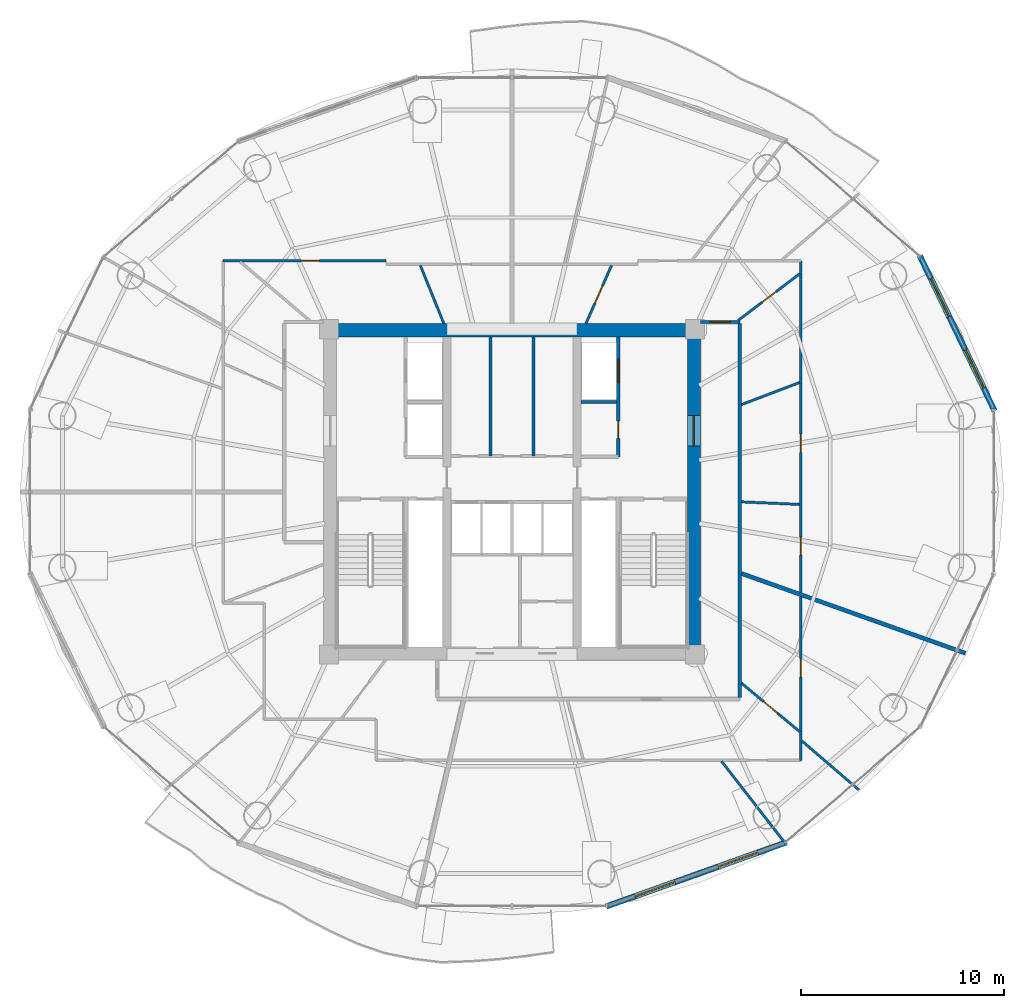
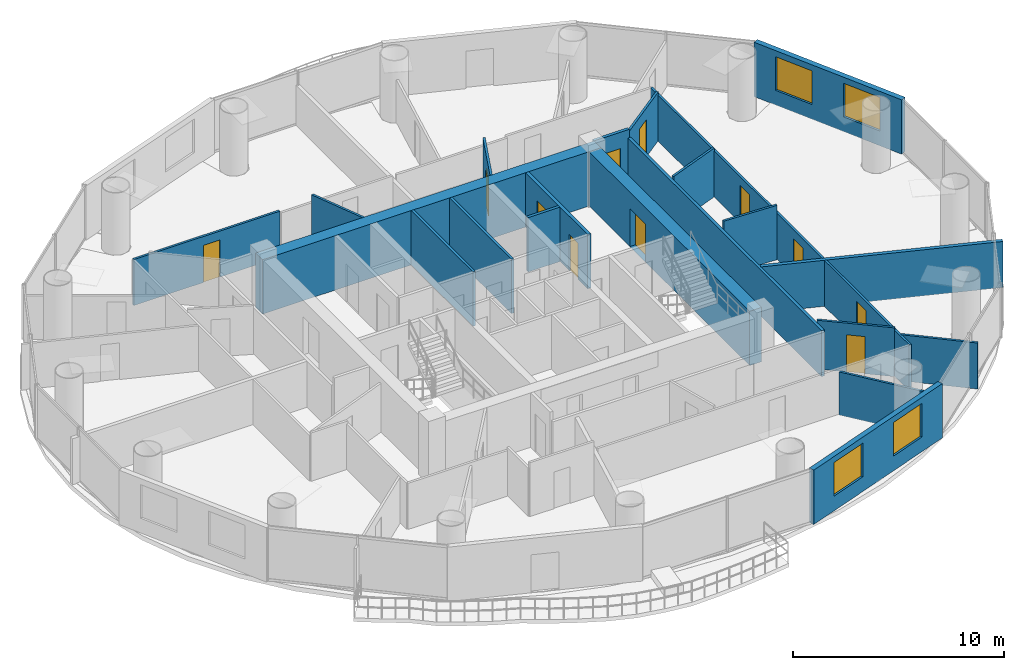
# One storey, part 22 of 26: 22 walls, 11 doors, 4 windows, 15 openings.
"""IFC4 building model written with IfcOpenShell, lengths in metres."""

from ifc_helpers import new_model, si_unit, direction, frame, frame_2d, origin, place, context, subcontext, project, spatial, rectangle, extrude, source, transform, mapped, material, layer, layer_set, type_object, element, fill, save


model = new_model("IFC4")

# Units and contexts
model_context = context("Model", 3, precision=1e-05, world=origin(), true_north=direction((-0.2419218956, 0.970295726276)))
body_context = subcontext(model_context, "Body", "Model", "MODEL_VIEW")
ifc_project = project(units=[si_unit("LENGTHUNIT", "METRE"), si_unit("AREAUNIT", "SQUARE_METRE"), si_unit("VOLUMEUNIT", "CUBIC_METRE"), si_unit("PLANEANGLEUNIT", "RADIAN"), si_unit("MASSUNIT", "GRAM", prefix="KILO")], contexts=[model_context])

# Site, building, storey
site_placement = place(None, origin())
site = spatial("IfcSite", under=ifc_project, at=site_placement, CompositionType="ELEMENT")
building_placement = place(site_placement, origin())
building = spatial("IfcBuilding", under=site, at=building_placement, Name="Cobrevalo Terracotta Tower", CompositionType="ELEMENT")
storey_placement = place(building_placement, frame((0.0, 0.0, 182.199951171875)))
storey = spatial("IfcBuildingStorey", under=building, at=storey_placement, Name="L48", CompositionType="ELEMENT", Elevation=182.199951171875)

# Wall
ifc_material_1 = material(Name="Concrete C55", Category="concrete")
ifc_layer_1 = layer(ifc_material_1, 0.64990234375)
ifc_layer_set_1 = layer_set([ifc_layer_1], Name="Concrete C55")
wall_type_1 = type_object("IfcWallType", Name="Core shear wall 650 mm Concrete C55", PredefinedType="SHEAR", material=ifc_layer_set_1)
wall_1_placement = place(storey_placement, frame((28.72509765625, 34.75, 0.0), z_axis=(0.0, 0.0, 1.0), x_axis=(1.0, 0.0, 0.0)))
element("IfcWall", 1, at=wall_1_placement, inside=storey, type_object=wall_type_1, Name="L48 north core shear wall", PredefinedType="SHEAR", context=body_context, shape_type="SweptSolid", body=[
    extrude(rectangle(XDim=18.5498046875, YDim=0.64990234375, at=frame_2d((9.27490234375, 0.0))), origin(), (0.0, 0.0, 1.0), 3.150146484375),
])

# Wall, opening, door
wall_2_placement = place(storey_placement, frame((46.949951171875, 19.175048828125, 0.0), z_axis=(0.0, 0.0, 1.0), x_axis=(0.0, 1.0, 0.0)))
wall_2 = element("IfcWall", 2, at=wall_2_placement, inside=storey, type_object=wall_type_1, Name="L48 east core shear wall", PredefinedType="SHEAR", context=body_context, shape_type="SweptSolid", body=[
    extrude(rectangle(XDim=15.25, YDim=0.64990234375, at=frame_2d((7.625, 0.0))), origin(), (0.0, 0.0, 1.0), 3.150146484375),
])
opening_1_placement = place(wall_2_placement, frame((9.875, 0.0, 0.0)))
opening_1 = element("IfcOpeningElement", 3, at=opening_1_placement, cuts=wall_2, Name="Opening ID-14", PredefinedType="OPENING", context=body_context, shape_type="SweptSolid", body=[
    extrude(rectangle(XDim=1.5, YDim=2.199951171875, at=frame_2d((0.75, 1.10009765625))), frame((0.0, 0.3349609375, 0.0), z_axis=(0.0, -1.0, 0.0), x_axis=(1.0, 0.0, 0.0)), (0.0, 0.0, 1.0), 0.669921875),
])
ifc_material_2 = material(Name="Galvanized fire-rated steel", Category="steel")
door_type_1 = type_object("IfcDoorType", Name="Core cross-lobby double fire door 1500x2200 EI 90", OperationType="NOTDEFINED", PredefinedType="DOOR", material=ifc_material_2)
shared_shape_1 = source(origin(), body_context, "Body", "SweptSolid", [
    extrude(rectangle(XDim=1.5, YDim=2.199951171875, at=frame_2d((0.75, 1.10009765625))), frame((0.0, 0.02490234375, 0.0), z_axis=(0.0, -1.0, 0.0), x_axis=(1.0, 0.0, 0.0)), (0.0, 0.0, 1.0), 0.050048828125),
])
door_1_placement = place(opening_1_placement, frame((1.5, 0.0, 0.0), z_axis=(0.0, 0.0, 1.0), x_axis=(-1.0, 0.0, 0.0)))
door_1 = element("IfcDoor", 4, at=door_1_placement, inside=storey, type_object=door_type_1, Name="L48 east firefighting lobby entrance door", OperationType="DOUBLE_DOOR_SINGLE_SWING", OverallHeight=2.199951171875, OverallWidth=1.5, PredefinedType="DOOR", context=body_context, shape_type="MappedRepresentation", body=[
    mapped(shared_shape_1, transform((0.0, 0.0, 0.0), scale=1.0)),
])
fill(opening_1, door_1)

# Walls
ifc_material_3 = material(Name="Gypsum board on steel stud", Category="steel")
ifc_layer_2 = layer(ifc_material_3, 0.159912109375)
ifc_layer_set_2 = layer_set([ifc_layer_2], Name="Gypsum board on steel stud")
wall_type_2 = type_object("IfcWallType", Name="Fire-rated corridor acoustic partition wall 160 mm", PredefinedType="PARTITIONING", material=ifc_layer_set_2)
wall_3_placement = place(storey_placement, frame((41.389892578125, 31.219970703125, 0.0), z_axis=(0.0, 0.0, 1.0), x_axis=(1.0, 0.0, 0.0)))
element("IfcWall", 5, at=wall_3_placement, inside=storey, type_object=wall_type_2, Name="L48 interior partition IW-L48-FF2-M", PredefinedType="PARTITIONING", context=body_context, shape_type="SweptSolid", body=[
    extrude(rectangle(XDim=1.75, YDim=0.159912109375, at=frame_2d((0.875, 0.0))), origin(), (0.0, 0.0, 1.0), 3.150146484375),
])
wall_4_placement = place(storey_placement, frame((49.205078125, 16.675048828125, 0.0), z_axis=(0.0, 0.0, 1.0), x_axis=(0.0, 1.0, 0.0)))
element("IfcWall", 6, at=wall_4_placement, inside=storey, type_object=wall_type_2, Name="L48 interior partition IW-L48-COR-E", PredefinedType="PARTITIONING", context=body_context, shape_type="SweptSolid", body=[
    extrude(rectangle(XDim=18.39990234375, YDim=0.159912109375, at=frame_2d((9.199951171875, 0.0))), origin(), (0.0, 0.0, 1.0), 2.666015625),
])

# Wall, opening, door
wall_5_placement = place(storey_placement, frame((47.27490234375, 35.155029296875, 0.0), z_axis=(0.0, 0.0, 1.0), x_axis=(1.0, 0.0, 0.0)))
wall_5 = element("IfcWall", 7, at=wall_5_placement, inside=storey, type_object=wall_type_2, Name="L48 interior partition IW-L48-COR-EN-CAP", PredefinedType="PARTITIONING", context=body_context, shape_type="SweptSolid", body=[
    extrude(rectangle(XDim=1.93017578125, YDim=0.159912109375, at=frame_2d((0.965087890625, 0.0))), origin(), (0.0, 0.0, 1.0), 3.150146484375),
])
opening_2_placement = place(wall_5_placement, frame((0.47509765625, 0.0, 0.0)))
opening_2 = element("IfcOpeningElement", 8, at=opening_2_placement, cuts=wall_5, Name="Opening ID-05", PredefinedType="OPENING", context=body_context, shape_type="SweptSolid", body=[
    extrude(rectangle(XDim=0.97998046875, YDim=2.199951171875, at=frame_2d((0.489990234375, 1.10009765625))), frame((0.0, 0.08984375, 0.0), z_axis=(0.0, -1.0, 0.0), x_axis=(1.0, 0.0, 0.0)), (0.0, 0.0, 1.0), 0.179931640625),
])
ifc_material_4 = material(Name="Solid hardwood timber", Category="wood")
door_type_2 = type_object("IfcDoorType", Name="Residence entrance fire-rated acoustic timber door 980x2200 EI 60", OperationType="NOTDEFINED", PredefinedType="DOOR", material=ifc_material_4)
shared_shape_2 = source(origin(), body_context, "Body", "SweptSolid", [
    extrude(rectangle(XDim=0.97998046875, YDim=2.199951171875, at=frame_2d((0.489990234375, 1.10009765625))), frame((0.0, 0.02490234375, 0.0), z_axis=(0.0, -1.0, 0.0), x_axis=(1.0, 0.0, 0.0)), (0.0, 0.0, 1.0), 0.050048828125),
])
door_2_placement = place(opening_2_placement, origin())
door_2 = element("IfcDoor", 9, at=door_2_placement, inside=storey, type_object=door_type_2, Name="Flat L48A fire-rated apartment entrance door", OperationType="SINGLE_SWING_LEFT", OverallHeight=2.199951171875, OverallWidth=0.97998046875, PredefinedType="DOOR", context=body_context, shape_type="MappedRepresentation", body=[
    mapped(shared_shape_2, transform((0.0, 0.0, 0.0), scale=1.0)),
])
fill(opening_2, door_2)

# Wall, openings, doors
ifc_layer_3 = layer(ifc_material_3, 0.179931640625)
ifc_layer_set_3 = layer_set([ifc_layer_3], Name="Gypsum board on steel stud")
wall_type_3 = type_object("IfcWallType", Name="Fire-rated shaft & lobby acoustic partition wall 180 mm", PredefinedType="PARTITIONING", material=ifc_layer_set_3)
wall_6_placement = place(storey_placement, frame((43.22998046875, 28.52001953125, 0.0), z_axis=(0.0, 0.0, 1.0), x_axis=(0.0, 1.0, 0.0)))
wall_6 = element("IfcWall", 10, at=wall_6_placement, inside=storey, type_object=wall_type_3, Name="L48 interior partition IW-L48-FF2-E", PredefinedType="PARTITIONING", context=body_context, shape_type="SweptSolid", body=[
    extrude(rectangle(XDim=5.905029296875, YDim=0.179931640625, at=frame_2d((2.95263671875, 0.0))), origin(), (0.0, 0.0, 1.0), 3.150146484375),
])
opening_3_placement = place(wall_6_placement, frame((0.905029296875, 0.0, 0.0)))
opening_3 = element("IfcOpeningElement", 11, at=opening_3_placement, cuts=wall_6, Name="Opening ID-22", PredefinedType="OPENING", context=body_context, shape_type="SweptSolid", body=[
    extrude(rectangle(XDim=0.85009765625, YDim=2.10009765625, at=frame_2d((0.425048828125, 1.050048828125))), frame((0.0, 0.10009765625, 0.0), z_axis=(0.0, -1.0, 0.0), x_axis=(1.0, 0.0, 0.0)), (0.0, 0.0, 1.0), 0.199951171875),
])
opening_4_placement = place(wall_6_placement, frame((3.655029296875, 0.0, 0.0)))
opening_4 = element("IfcOpeningElement", 12, at=opening_4_placement, cuts=wall_6, Name="Opening LD-02", PredefinedType="OPENING", context=body_context, shape_type="SweptSolid", body=[
    extrude(rectangle(XDim=1.14990234375, YDim=2.199951171875, at=frame_2d((0.574951171875, 1.10009765625))), frame((0.0, 0.10009765625, 0.0), z_axis=(0.0, -1.0, 0.0), x_axis=(1.0, 0.0, 0.0)), (0.0, 0.0, 1.0), 0.199951171875),
])
ifc_material_5 = material(Name="Powder-coated steel", Category="steel")
door_type_3 = type_object("IfcDoorType", Name="Riser shaft & meter closet fire access door 850x2100 EI 60", OperationType="NOTDEFINED", PredefinedType="DOOR", material=ifc_material_5)
shared_shape_3 = source(origin(), body_context, "Body", "SweptSolid", [
    extrude(rectangle(XDim=0.85009765625, YDim=2.10009765625, at=frame_2d((0.425048828125, 1.050048828125))), frame((0.0, 0.02490234375, 0.0), z_axis=(0.0, -1.0, 0.0), x_axis=(1.0, 0.0, 0.0)), (0.0, 0.0, 1.0), 0.050048828125),
])
door_3_placement = place(opening_3_placement, frame((0.85009765625, 0.0, 0.0), z_axis=(0.0, 0.0, 1.0), x_axis=(-1.0, 0.0, 0.0)))
door_3 = element("IfcDoor", 13, at=door_3_placement, inside=storey, type_object=door_type_3, Name="L48 housekeeping store door", OperationType="SINGLE_SWING_RIGHT", OverallHeight=2.10009765625, OverallWidth=0.85009765625, PredefinedType="DOOR", context=body_context, shape_type="MappedRepresentation", body=[
    mapped(shared_shape_3, transform((0.0, 0.0, 0.0), scale=1.0)),
])
fill(opening_3, door_3)
ifc_material_6 = material(Name="Brushed stainless steel", Category="steel")
door_type_4 = type_object("IfcDoorType", Name="Firefighting lift landing bi-parting sliding door 1150x2200 EI 120", OperationType="DOUBLE_DOOR_SLIDING", PredefinedType="DOOR", material=ifc_material_6)
shared_shape_4 = source(origin(), body_context, "Body", "SweptSolid", [
    extrude(rectangle(XDim=1.14990234375, YDim=2.199951171875, at=frame_2d((0.574951171875, 1.10009765625))), frame((0.0, 0.02490234375, 0.0), z_axis=(0.0, -1.0, 0.0), x_axis=(1.0, 0.0, 0.0)), (0.0, 0.0, 1.0), 0.050048828125),
])
door_4_placement = place(opening_4_placement, origin())
door_4 = element("IfcDoor", 14, at=door_4_placement, inside=storey, type_object=door_type_4, Name="L48 lift landing door FF-2", OperationType="DOUBLE_DOOR_SLIDING", OverallHeight=2.199951171875, OverallWidth=1.14990234375, PredefinedType="DOOR", context=body_context, shape_type="MappedRepresentation", body=[
    mapped(shared_shape_4, transform((0.0, 0.0, 0.0), scale=1.0)),
])
fill(opening_4, door_4)

# Wall
ifc_material_7 = material(Name="Autoclaved aerated concrete block", Category="concrete")
ifc_layer_4 = layer(ifc_material_7, 0.199951171875)
ifc_layer_set_4 = layer_set([ifc_layer_4], Name="Autoclaved aerated concrete block")
wall_type_4 = type_object("IfcWallType", Name="Fire-rated stair, shaft & demising masonry wall 200 mm", PredefinedType="PARTITIONING", material=ifc_layer_set_4)
wall_7_placement = place(storey_placement, frame((49.286865234375, 22.78173828125, 0.0), z_axis=(0.0, 0.0, 1.0), x_axis=(0.942076460895, -0.335398183996, 0.0)))
element("IfcWall", 15, at=wall_7_placement, inside=storey, type_object=wall_type_4, Name="L48 interior partition IW-L48-DEM-1", PredefinedType="PARTITIONING", context=body_context, shape_type="SweptSolid", body=[
    extrude(rectangle(XDim=11.689453125, YDim=0.199951171875, at=frame_2d((5.8447265625, 0.0))), origin(), (0.0, 0.0, 1.0), 2.666015625),
])

# Wall, openings, windows
ifc_layer_5 = layer(ifc_material_7, 0.280029296875)
ifc_layer_set_5 = layer_set([ifc_layer_5], Name="Autoclaved aerated concrete block")
wall_type_5 = type_object("IfcWallType", Name="Insulated tower spandrel & pier wall 280 mm with terracotta rainscreen", PredefinedType="SOLIDWALL", material=ifc_layer_set_5)
wall_8_placement = place(storey_placement, frame((61.740234375, 30.780029296875, 0.0), z_axis=(0.0, 0.0, 1.0), x_axis=(-0.434209827226, 0.900811759437, 0.0)))
wall_8 = element("IfcWall", 16, at=wall_8_placement, inside=storey, type_object=wall_type_5, Name="L48 terracotta rainscreen pier wall S01", PredefinedType="SOLIDWALL", context=body_context, shape_type="SweptSolid", body=[
    extrude(rectangle(XDim=8.4716796875, YDim=0.280029296875, at=frame_2d((4.23583984375, 0.0))), origin(), (0.0, 0.0, 1.0), 3.150146484375),
])
opening_5_placement = place(wall_8_placement, frame((1.2373046875, 0.0, 0.85009765625)))
opening_5 = element("IfcOpeningElement", 17, at=opening_5_placement, cuts=wall_8, Name="Opening WN-10", PredefinedType="OPENING", context=body_context, shape_type="SweptSolid", body=[
    extrude(rectangle(XDim=2.10009765625, YDim=1.949951171875, at=frame_2d((1.050048828125, 0.97509765625))), frame((0.0, 0.14990234375, 0.0), z_axis=(0.0, -1.0, 0.0), x_axis=(1.0, 0.0, 0.0)), (0.0, 0.0, 1.0), 0.300048828125),
])
opening_6_placement = place(wall_8_placement, frame((5.13427734375, 0.0, 0.85009765625)))
opening_6 = element("IfcOpeningElement", 18, at=opening_6_placement, cuts=wall_8, Name="Opening WN-10", PredefinedType="OPENING", context=body_context, shape_type="SweptSolid", body=[
    extrude(rectangle(XDim=2.10009765625, YDim=1.949951171875, at=frame_2d((1.050048828125, 0.97509765625))), frame((0.0, 0.14990234375, 0.0), z_axis=(0.0, -1.0, 0.0), x_axis=(1.0, 0.0, 0.0)), (0.0, 0.0, 1.0), 0.300048828125),
])
ifc_material_8 = material(Name="Solar-control low-E double glazing", Category="glass")
window_type = type_object("IfcWindowType", Name="Wide panoramic low-E aluminium window 2100x1950", PartitioningType="SINGLE_PANEL", PredefinedType="WINDOW", material=ifc_material_8)
shared_shape_5 = source(origin(), body_context, "Body", "SweptSolid", [
    extrude(rectangle(XDim=2.10009765625, YDim=1.949951171875, at=frame_2d((1.050048828125, 0.97509765625))), frame((0.0, 0.030029296875, 0.0), z_axis=(0.0, -1.0, 0.0), x_axis=(1.0, 0.0, 0.0)), (0.0, 0.0, 1.0), 0.06005859375),
])
window_1_placement = place(opening_5_placement, origin())
window_1 = element("IfcWindow", 19, at=window_1_placement, inside=storey, type_object=window_type, Name="L48 suite window S01A", OverallHeight=1.949951171875, OverallWidth=2.10009765625, PartitioningType="SINGLE_PANEL", PredefinedType="WINDOW", context=body_context, shape_type="MappedRepresentation", body=[
    mapped(shared_shape_5, transform((0.0, 0.0, 0.0), scale=1.0)),
])
fill(opening_5, window_1)
window_2_placement = place(opening_6_placement, origin())
window_2 = element("IfcWindow", 20, at=window_2_placement, inside=storey, type_object=window_type, Name="L48 suite window S01B", OverallHeight=1.949951171875, OverallWidth=2.10009765625, PartitioningType="SINGLE_PANEL", PredefinedType="WINDOW", context=body_context, shape_type="MappedRepresentation", body=[
    mapped(shared_shape_5, transform((0.0, 0.0, 0.0), scale=1.0)),
])
fill(opening_6, window_2)

wall_9_placement = place(storey_placement, frame((42.639892578125, 6.40234375, 0.0), z_axis=(0.0, 0.0, 1.0), x_axis=(0.942103604331, 0.335321932934, 0.0)))
wall_9 = element("IfcWall", 21, at=wall_9_placement, inside=storey, type_object=wall_type_5, Name="L48 terracotta rainscreen pier wall S13", PredefinedType="SOLIDWALL", context=body_context, shape_type="SweptSolid", body=[
    extrude(rectangle(XDim=9.408203125, YDim=0.280029296875, at=frame_2d((4.7041015625, 0.0))), origin(), (0.0, 0.0, 1.0), 3.150146484375),
])
opening_7_placement = place(wall_9_placement, frame((1.490234375, 0.0, 0.85009765625)))
opening_7 = element("IfcOpeningElement", 22, at=opening_7_placement, cuts=wall_9, Name="Opening WN-10", PredefinedType="OPENING", context=body_context, shape_type="SweptSolid", body=[
    extrude(rectangle(XDim=2.10009765625, YDim=1.949951171875, at=frame_2d((1.050048828125, 0.97509765625))), frame((0.0, 0.14990234375, 0.0), z_axis=(0.0, -1.0, 0.0), x_axis=(1.0, 0.0, 0.0)), (0.0, 0.0, 1.0), 0.300048828125),
])
opening_8_placement = place(wall_9_placement, frame((5.818115234375, 0.0, 0.85009765625)))
opening_8 = element("IfcOpeningElement", 23, at=opening_8_placement, cuts=wall_9, Name="Opening WN-10", PredefinedType="OPENING", context=body_context, shape_type="SweptSolid", body=[
    extrude(rectangle(XDim=2.10009765625, YDim=1.949951171875, at=frame_2d((1.050048828125, 0.97509765625))), frame((0.0, 0.14990234375, 0.0), z_axis=(0.0, -1.0, 0.0), x_axis=(1.0, 0.0, 0.0)), (0.0, 0.0, 1.0), 0.300048828125),
])
window_3_placement = place(opening_7_placement, origin())
window_3 = element("IfcWindow", 24, at=window_3_placement, inside=storey, type_object=window_type, Name="L48 suite window S13A", OverallHeight=1.949951171875, OverallWidth=2.10009765625, PartitioningType="SINGLE_PANEL", PredefinedType="WINDOW", context=body_context, shape_type="MappedRepresentation", body=[
    mapped(shared_shape_5, transform((0.0, 0.0, 0.0), scale=1.0)),
])
fill(opening_7, window_3)
window_4_placement = place(opening_8_placement, origin())
window_4 = element("IfcWindow", 25, at=window_4_placement, inside=storey, type_object=window_type, Name="L48 suite window S13B", OverallHeight=1.949951171875, OverallWidth=2.10009765625, PartitioningType="SINGLE_PANEL", PredefinedType="WINDOW", context=body_context, shape_type="MappedRepresentation", body=[
    mapped(shared_shape_5, transform((0.0, 0.0, 0.0), scale=1.0)),
])
fill(opening_8, window_4)

# Walls
ifc_layer_6 = layer(ifc_material_7, 0.139892578125)
ifc_layer_set_6 = layer_set([ifc_layer_6], Name="Autoclaved aerated concrete block")
wall_type_6 = type_object("IfcWallType", Name="Moisture-resistant wet-room & core service partition 140 mm", PredefinedType="PARTITIONING", material=ifc_layer_set_6)
for number, where, z_axis, x_axis, name in (
    (26, (36.949951171875, 28.56005859375, 0.0), (0.0, 0.0, 1.0), (0.0, 1.0, 0.0), "L48 interior partition IW-L48-KVN-A"),
    (27, (39.050048828125, 28.56005859375, 0.0), (0.0, 0.0, 1.0), (0.0, 1.0, 0.0), "L48 interior partition IW-L48-KVN-B"),
):
    element("IfcWall", number, at=place(storey_placement, frame(where, z_axis=z_axis, x_axis=x_axis)), inside=storey, type_object=wall_type_6, Name=name, PredefinedType="PARTITIONING", context=body_context, shape_type="SweptSolid", body=[
        extrude(rectangle(XDim=5.864990234375, YDim=0.139892578125, at=frame_2d((2.9326171875, 0.0))), origin(), (0.0, 0.0, 1.0), 3.150146484375),
    ])

# Wall, openings, doors
ifc_layer_7 = layer(ifc_material_3, 0.1201171875)
ifc_layer_set_7 = layer_set([ifc_layer_7], Name="Gypsum board on steel stud")
wall_type_7 = type_object("IfcWallType", Name="Residential internal acoustic stud partition 120 mm", PredefinedType="PARTITIONING", material=ifc_layer_set_7)
wall_10_placement = place(storey_placement, frame((52.205078125, 38.155029296875, 0.0), z_axis=(0.0, 0.0, 1.0), x_axis=(0.0, -1.0, 0.0)))
wall_10 = element("IfcWall", 28, at=wall_10_placement, inside=storey, type_object=wall_type_7, Name="L48 interior partition IW-L48-U1-RING3_0", PredefinedType="PARTITIONING", context=body_context, shape_type="SweptSolid", body=[
    extrude(rectangle(XDim=16.310302734375, YDim=0.1201171875, at=frame_2d((8.1552734375, 0.0))), origin(), (0.0, 0.0, 1.0), 2.666015625),
])
opening_9_placement = place(wall_10_placement, frame((13.574462890625, 0.0, 0.0)))
opening_9 = element("IfcOpeningElement", 29, at=opening_9_placement, cuts=wall_10, Name="Opening ID-12", PredefinedType="OPENING", context=body_context, shape_type="SweptSolid", body=[
    extrude(rectangle(XDim=0.89990234375, YDim=2.14990234375, at=frame_2d((0.449951171875, 1.074951171875))), frame((0.0, 0.070068359375, 0.0), z_axis=(0.0, -1.0, 0.0), x_axis=(1.0, 0.0, 0.0)), (0.0, 0.0, 1.0), 0.14013671875),
])
opening_10_placement = place(wall_10_placement, frame((8.51806640625, 0.0, 0.0)))
opening_10 = element("IfcOpeningElement", 30, at=opening_10_placement, cuts=wall_10, Name="Opening ID-12", PredefinedType="OPENING", context=body_context, shape_type="SweptSolid", body=[
    extrude(rectangle(XDim=0.89990234375, YDim=2.14990234375, at=frame_2d((0.449951171875, 1.074951171875))), frame((0.0, 0.070068359375, 0.0), z_axis=(0.0, -1.0, 0.0), x_axis=(1.0, 0.0, 0.0)), (0.0, 0.0, 1.0), 0.14013671875),
])
ifc_material_9 = material(Name="Engineered timber", Category="wood")
door_type_5 = type_object("IfcDoorType", Name="Internal residence & suite timber door 900x2150", OperationType="NOTDEFINED", PredefinedType="DOOR", material=ifc_material_9)
shared_shape_6 = source(origin(), body_context, "Body", "SweptSolid", [
    extrude(rectangle(XDim=0.89990234375, YDim=2.14990234375, at=frame_2d((0.449951171875, 1.074951171875))), frame((0.0, 0.02490234375, 0.0), z_axis=(0.0, -1.0, 0.0), x_axis=(1.0, 0.0, 0.0)), (0.0, 0.0, 1.0), 0.050048828125),
])
door_5_placement = place(opening_9_placement, frame((0.89990234375, 0.0, 0.0), z_axis=(0.0, 0.0, 1.0), x_axis=(-1.0, 0.0, 0.0)))
door_5 = element("IfcDoor", 31, at=door_5_placement, inside=storey, type_object=door_type_5, Name="Flat L48A Private Library Meeting Room internal door", OperationType="SINGLE_SWING_RIGHT", OverallHeight=2.14990234375, OverallWidth=0.89990234375, PredefinedType="DOOR", context=body_context, shape_type="MappedRepresentation", body=[
    mapped(shared_shape_6, transform((0.0, 0.0, 0.0), scale=1.0)),
])
fill(opening_9, door_5)
door_6_placement = place(opening_10_placement, frame((0.89990234375, 0.0, 0.0), z_axis=(0.0, 0.0, 1.0), x_axis=(-1.0, 0.0, 0.0)))
door_6 = element("IfcDoor", 32, at=door_6_placement, inside=storey, type_object=door_type_5, Name="Flat L48A Utility Closet internal door", OperationType="SINGLE_SWING_LEFT", OverallHeight=2.14990234375, OverallWidth=0.89990234375, PredefinedType="DOOR", context=body_context, shape_type="MappedRepresentation", body=[
    mapped(shared_shape_6, transform((0.0, 0.0, 0.0), scale=1.0)),
])
fill(opening_10, door_6)

# Walls
wall_11_placement = place(storey_placement, frame((49.287109375, 26.30419921875, 0.0), z_axis=(0.0, 0.0, 1.0), x_axis=(0.999039813392, -0.043811542509, 0.0)))
element("IfcWall", 33, at=wall_11_placement, inside=storey, type_object=wall_type_7, Name="L48 interior partition IW-L48-U1-IRAD1", PredefinedType="PARTITIONING", context=body_context, shape_type="SweptSolid", body=[
    extrude(rectangle(XDim=2.858642578125, YDim=0.1201171875, at=frame_2d((1.42919921875, 0.0))), origin(), (0.0, 0.0, 1.0), 3.150146484375),
])
wall_12_placement = place(storey_placement, frame((49.286865234375, 31.0888671875, 0.0), z_axis=(0.0, 0.0, 1.0), x_axis=(0.934802126635, 0.3551689514, 0.0)))
element("IfcWall", 34, at=wall_12_placement, inside=storey, type_object=wall_type_7, Name="L48 interior partition IW-L48-U1-IRAD2", PredefinedType="PARTITIONING", context=body_context, shape_type="SweptSolid", body=[
    extrude(rectangle(XDim=3.0595703125, YDim=0.1201171875, at=frame_2d((1.52978515625, 0.0))), origin(), (0.0, 0.0, 1.0), 2.824951171875),
])

# Wall, opening, door
wall_13_placement = place(storey_placement, frame((49.133056640625, 35.236328125, 0.0), z_axis=(0.0, 0.0, 1.0), x_axis=(0.797054583929, 0.603907269568, 0.0)))
wall_13 = element("IfcWall", 35, at=wall_13_placement, inside=storey, type_object=wall_type_7, Name="L48 interior partition IW-L48-U1-IRAD3", PredefinedType="PARTITIONING", context=body_context, shape_type="SweptSolid", body=[
    extrude(rectangle(XDim=3.7919921875, YDim=0.1201171875, at=frame_2d((1.89599609375, 0.0))), origin(), (0.0, 0.0, 1.0), 2.824951171875),
])
opening_11_placement = place(wall_13_placement, frame((1.466064453125, 0.0, 0.0)))
opening_11 = element("IfcOpeningElement", 36, at=opening_11_placement, cuts=wall_13, Name="Opening ID-19", PredefinedType="OPENING", context=body_context, shape_type="SweptSolid", body=[
    extrude(rectangle(XDim=0.860107421875, YDim=2.14990234375, at=frame_2d((0.43017578125, 1.074951171875))), frame((0.0, 0.070068359375, 0.0), z_axis=(0.0, -1.0, 0.0), x_axis=(1.0, 0.0, 0.0)), (0.0, 0.0, 1.0), 0.14013671875),
])
ifc_material_10 = material(Name="Moisture-sealed timber", Category="wood")
door_type_6 = type_object("IfcDoorType", Name="Suite bathroom internal timber door 860x2150", OperationType="NOTDEFINED", PredefinedType="DOOR", material=ifc_material_10)
shared_shape_7 = source(origin(), body_context, "Body", "SweptSolid", [
    extrude(rectangle(XDim=0.860107421875, YDim=2.14990234375, at=frame_2d((0.43017578125, 1.074951171875))), frame((0.0, 0.02490234375, 0.0), z_axis=(0.0, -1.0, 0.0), x_axis=(1.0, 0.0, 0.0)), (0.0, 0.0, 1.0), 0.050048828125),
])
door_7_placement = place(opening_11_placement, frame((0.860107421875, 0.0, 0.0), z_axis=(0.0, 0.0, 1.0), x_axis=(-1.0, 0.0, 0.0)))
door_7 = element("IfcDoor", 37, at=door_7_placement, inside=storey, type_object=door_type_6, Name="Flat L48A Primary Bathroom internal door", OperationType="SINGLE_SWING_RIGHT", OverallHeight=2.14990234375, OverallWidth=0.860107421875, PredefinedType="DOOR", context=body_context, shape_type="MappedRepresentation", body=[
    mapped(shared_shape_7, transform((0.0, 0.0, 0.0), scale=1.0)),
])
fill(opening_11, door_7)

wall_14_placement = place(storey_placement, frame((41.637939453125, 35.074951171875, 0.0), z_axis=(0.0, 0.0, 1.0), x_axis=(0.402456087228, 0.915439292282, 0.0)))
wall_14 = element("IfcWall", 38, at=wall_14_placement, inside=storey, type_object=wall_type_7, Name="L48 interior partition IW-L48-U1-IRAD4", PredefinedType="PARTITIONING", context=body_context, shape_type="SweptSolid", body=[
    extrude(rectangle(XDim=3.127685546875, YDim=0.1201171875, at=frame_2d((1.56396484375, 0.0))), origin(), (0.0, 0.0, 1.0), 3.150146484375),
])
opening_12_placement = place(wall_14_placement, frame((1.114013671875, 0.0, 0.0)))
opening_12 = element("IfcOpeningElement", 39, at=opening_12_placement, cuts=wall_14, Name="Opening ID-12", PredefinedType="OPENING", context=body_context, shape_type="SweptSolid", body=[
    extrude(rectangle(XDim=0.89990234375, YDim=2.14990234375, at=frame_2d((0.449951171875, 1.074951171875))), frame((0.0, 0.070068359375, 0.0), z_axis=(0.0, -1.0, 0.0), x_axis=(1.0, 0.0, 0.0)), (0.0, 0.0, 1.0), 0.14013671875),
])
door_8_placement = place(opening_12_placement, origin())
door_8 = element("IfcDoor", 40, at=door_8_placement, inside=storey, type_object=door_type_5, Name="Flat L48A Kitchen internal door", OperationType="SINGLE_SWING_LEFT", OverallHeight=2.14990234375, OverallWidth=0.89990234375, PredefinedType="DOOR", context=body_context, shape_type="MappedRepresentation", body=[
    mapped(shared_shape_6, transform((0.0, 0.0, 0.0), scale=1.0)),
])
fill(opening_12, door_8)

wall_15_placement = place(storey_placement, frame((23.794921875, 38.155029296875, 0.0), z_axis=(0.0, 0.0, 1.0), x_axis=(1.0, 0.0, 0.0)))
wall_15 = element("IfcWall", 41, at=wall_15_placement, inside=storey, type_object=wall_type_7, Name="L48 interior partition IW-L48-U2-RING1_0", PredefinedType="PARTITIONING", context=body_context, shape_type="SweptSolid", body=[
    extrude(rectangle(XDim=8.010009765625, YDim=0.1201171875, at=frame_2d((4.0048828125, 0.0))), origin(), (0.0, 0.0, 1.0), 2.666015625),
])
opening_13_placement = place(wall_15_placement, frame((3.82958984375, 0.0, 0.0)))
opening_13 = element("IfcOpeningElement", 42, at=opening_13_placement, cuts=wall_15, Name="Opening ID-12", PredefinedType="OPENING", context=body_context, shape_type="SweptSolid", body=[
    extrude(rectangle(XDim=0.89990234375, YDim=2.14990234375, at=frame_2d((0.449951171875, 1.074951171875))), frame((0.0, 0.070068359375, 0.0), z_axis=(0.0, -1.0, 0.0), x_axis=(1.0, 0.0, 0.0)), (0.0, 0.0, 1.0), 0.14013671875),
])
door_9_placement = place(opening_13_placement, frame((0.89990234375, 0.0, 0.0), z_axis=(0.0, 0.0, 1.0), x_axis=(-1.0, 0.0, 0.0)))
door_9 = element("IfcDoor", 43, at=door_9_placement, inside=storey, type_object=door_type_5, Name="Flat L48B Reception Hallway internal door", OperationType="SINGLE_SWING_RIGHT", OverallHeight=2.14990234375, OverallWidth=0.89990234375, PredefinedType="DOOR", context=body_context, shape_type="MappedRepresentation", body=[
    mapped(shared_shape_6, transform((0.0, 0.0, 0.0), scale=1.0)),
])
fill(opening_13, door_9)

# Wall
wall_16_placement = place(storey_placement, frame((34.64892578125, 35.074951171875, 0.0), z_axis=(0.0, 0.0, 1.0), x_axis=(-0.375339921816, 0.926887233212, 0.0)))
element("IfcWall", 44, at=wall_16_placement, inside=storey, type_object=wall_type_7, Name="L48 interior partition IW-L48-U2-IRAD1", PredefinedType="PARTITIONING", context=body_context, shape_type="SweptSolid", body=[
    extrude(rectangle(XDim=3.08837890625, YDim=0.1201171875, at=frame_2d((1.544189453125, 0.0))), origin(), (0.0, 0.0, 1.0), 3.150146484375),
])

# Wall, opening, door
wall_17_placement = place(storey_placement, frame((52.205078125, 21.640869140625, 0.0), z_axis=(0.0, 0.0, 1.0), x_axis=(0.0, -1.0, 0.0)))
wall_17 = element("IfcWall", 45, at=wall_17_placement, inside=storey, type_object=wall_type_7, Name="L48 interior partition IW-L48-U4-RING0_0", PredefinedType="PARTITIONING", context=body_context, shape_type="SweptSolid", body=[
    extrude(rectangle(XDim=8.0458984375, YDim=0.1201171875, at=frame_2d((4.02294921875, 0.0))), origin(), (0.0, 0.0, 1.0), 2.666015625),
])
opening_14_placement = place(wall_17_placement, frame((3.052001953125, 0.0, 0.0)))
opening_14 = element("IfcOpeningElement", 46, at=opening_14_placement, cuts=wall_17, Name="Opening ID-12", PredefinedType="OPENING", context=body_context, shape_type="SweptSolid", body=[
    extrude(rectangle(XDim=0.89990234375, YDim=2.14990234375, at=frame_2d((0.449951171875, 1.074951171875))), frame((0.0, 0.070068359375, 0.0), z_axis=(0.0, -1.0, 0.0), x_axis=(1.0, 0.0, 0.0)), (0.0, 0.0, 1.0), 0.14013671875),
])
door_10_placement = place(opening_14_placement, origin())
door_10 = element("IfcDoor", 47, at=door_10_placement, inside=storey, type_object=door_type_5, Name="Flat L48D Penthouse Family Lounge internal door", OperationType="SINGLE_SWING_LEFT", OverallHeight=2.14990234375, OverallWidth=0.89990234375, PredefinedType="DOOR", context=body_context, shape_type="MappedRepresentation", body=[
    mapped(shared_shape_6, transform((0.0, 0.0, 0.0), scale=1.0)),
])
fill(opening_14, door_10)

# Walls
wall_18_placement = place(storey_placement, frame((48.3037109375, 13.546142578125, 0.0), z_axis=(0.0, 0.0, 1.0), x_axis=(0.613734792328, -0.789512257464, 0.0)))
element("IfcWall", 48, at=wall_18_placement, inside=storey, type_object=wall_type_7, Name="L48 interior partition IW-L48-U4-ORAD1", PredefinedType="PARTITIONING", context=body_context, shape_type="SweptSolid", body=[
    extrude(rectangle(XDim=5.009765625, YDim=0.1201171875, at=frame_2d((2.5048828125, 0.0))), origin(), (0.0, 0.0, 1.0), 2.5),
])
wall_19_placement = place(storey_placement, frame((52.251953125, 14.55029296875, 0.0), z_axis=(0.0, 0.0, 1.0), x_axis=(0.758368113794, -0.651826513714, 0.0)))
element("IfcWall", 49, at=wall_19_placement, inside=storey, type_object=wall_type_7, Name="L48 interior partition IW-L48-U4-ORAD2M1", PredefinedType="PARTITIONING", context=body_context, shape_type="SweptSolid", body=[
    extrude(rectangle(XDim=3.707763671875, YDim=0.1201171875, at=frame_2d((1.85400390625, 0.0))), origin(), (0.0, 0.0, 1.0), 2.666015625),
])

# Wall, opening, door
wall_20_placement = place(storey_placement, frame((49.28662109375, 17.389892578125, 0.0), z_axis=(0.0, 0.0, 1.0), x_axis=(0.768065994597, -0.640370695725, 0.0)))
wall_20 = element("IfcWall", 50, at=wall_20_placement, inside=storey, type_object=wall_type_7, Name="L48 interior partition IW-L48-U4-IRAD2", PredefinedType="PARTITIONING", context=body_context, shape_type="SweptSolid", body=[
    extrude(rectangle(XDim=3.73779296875, YDim=0.1201171875, at=frame_2d((1.868896484375, 0.0))), origin(), (0.0, 0.0, 1.0), 2.824951171875),
])
opening_15_placement = place(wall_20_placement, frame((1.4189453125, 0.0, 0.0)))
opening_15 = element("IfcOpeningElement", 51, at=opening_15_placement, cuts=wall_20, Name="Opening ID-12", PredefinedType="OPENING", context=body_context, shape_type="SweptSolid", body=[
    extrude(rectangle(XDim=0.89990234375, YDim=2.14990234375, at=frame_2d((0.449951171875, 1.074951171875))), frame((0.0, 0.070068359375, 0.0), z_axis=(0.0, -1.0, 0.0), x_axis=(1.0, 0.0, 0.0)), (0.0, 0.0, 1.0), 0.14013671875),
])
door_11_placement = place(opening_15_placement, origin())
door_11 = element("IfcDoor", 52, at=door_11_placement, inside=storey, type_object=door_type_5, Name="Flat L48D Kitchen internal door", OperationType="SINGLE_SWING_RIGHT", OverallHeight=2.14990234375, OverallWidth=0.89990234375, PredefinedType="DOOR", context=body_context, shape_type="MappedRepresentation", body=[
    mapped(shared_shape_6, transform((0.0, 0.0, 0.0), scale=1.0)),
])
fill(opening_15, door_11)

save(model, "model.ifc")
